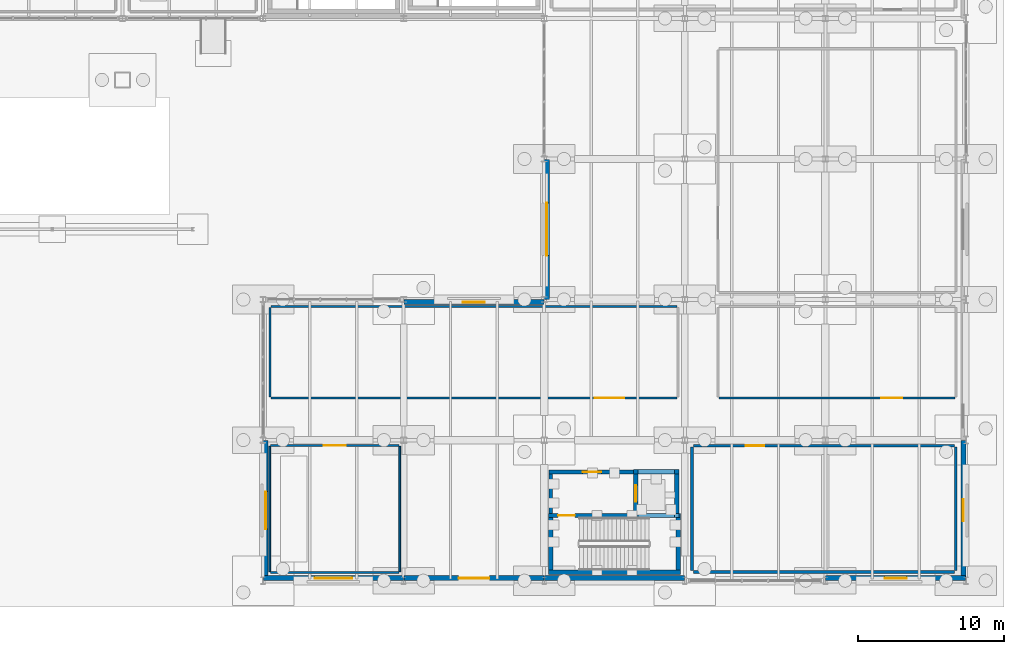
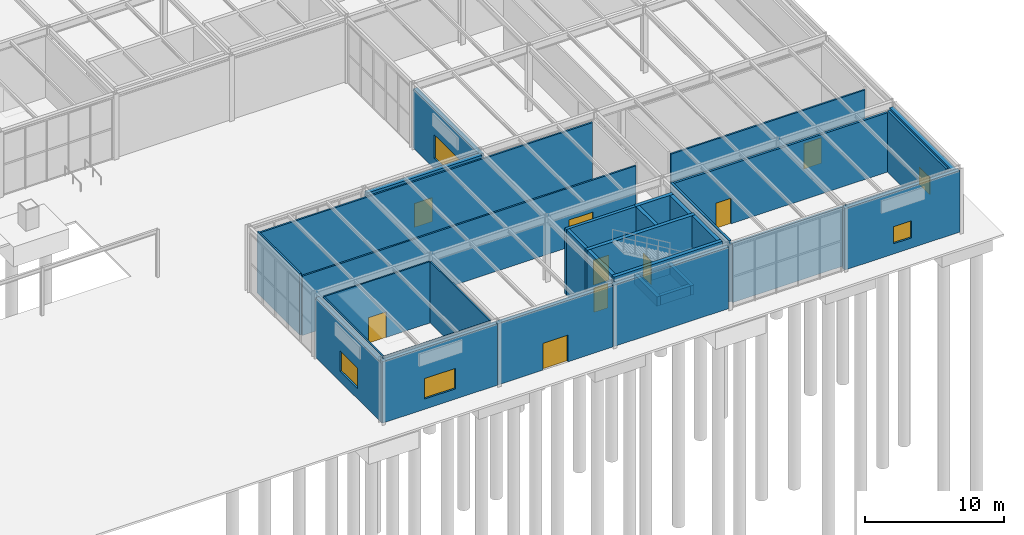
# One storey, part 123 of 142: 33 walls, 8 doors, 6 windows, 14 openings.
"""IFC4 building model written with IfcOpenShell, lengths in metres."""

from ifc_helpers import new_model, si_unit, direction, frame, frame_2d, origin, place, context, subcontext, project, spatial, rectangle, extrude, material, layer, layer_set, type_object, element, fill, save


model = new_model("IFC4")

# Units and contexts
model_context = context("Model", 3, precision=1e-05, world=origin(), true_north=direction((0.0, 1.0)))
body_context = subcontext(model_context, "Body", "Model", "MODEL_VIEW")
ifc_project = project(units=[si_unit("LENGTHUNIT", "METRE"), si_unit("AREAUNIT", "SQUARE_METRE"), si_unit("VOLUMEUNIT", "CUBIC_METRE"), si_unit("PLANEANGLEUNIT", "RADIAN"), si_unit("MASSUNIT", "GRAM", prefix="KILO")], contexts=[model_context])

# Site, building, storey
site_placement = place(None, origin())
site = spatial("IfcSite", under=ifc_project, at=site_placement, CompositionType="ELEMENT")
building_placement = place(site_placement, origin())
building = spatial("IfcBuilding", under=site, at=building_placement, Name="Coralgate Yard Interchange", CompositionType="ELEMENT")
storey_placement = place(building_placement, origin())
storey = spatial("IfcBuildingStorey", under=building, at=storey_placement, Name="L00", CompositionType="ELEMENT", Elevation=0.0)

# Wall
ifc_material_1 = material(Name="Concrete C40/50", Category="concrete")
ifc_layer_1 = layer(ifc_material_1, 0.300048828125)
ifc_layer_set_1 = layer_set([ifc_layer_1], Name="Concrete C40/50")
wall_type_1 = type_object("IfcWallType", Name="WAL-CW300", PredefinedType="SHEAR", material=ifc_layer_set_1)
wall_1_placement = place(storey_placement, frame((153.89990234375, 0.570068359375, 0.0), z_axis=(0.0, 0.0, 1.0), x_axis=(1.0, 0.0, 0.0)))
element("IfcWall", 1, at=wall_1_placement, inside=storey, type_object=wall_type_1, Name="C8 L00 stair south shear wall", PredefinedType="SHEAR", context=body_context, shape_type="SweptSolid", body=[
    extrude(rectangle(XDim=9.0, YDim=0.300048828125, at=frame_2d((4.5, 0.0))), origin(), (0.0, 0.0, 1.0), 5.75),
])

# Wall, opening, door
wall_2_placement = place(storey_placement, frame((162.89990234375, 4.449951171875, 0.0), z_axis=(0.0, 0.0, 1.0), x_axis=(-1.0, 0.0, 0.0)))
wall_2 = element("IfcWall", 2, at=wall_2_placement, inside=storey, type_object=wall_type_1, Name="C8 L00 stair north shear wall", PredefinedType="SHEAR", context=body_context, shape_type="SweptSolid", body=[
    extrude(rectangle(XDim=9.0, YDim=0.300048828125, at=frame_2d((4.5, 0.0))), origin(), (0.0, 0.0, 1.0), 5.75),
])
opening_1_placement = place(wall_2_placement, frame((7.199951171875, 0.0, 0.0)))
opening_1 = element("IfcOpeningElement", 3, at=opening_1_placement, cuts=wall_2, Name="Opening FD-1B", PredefinedType="OPENING", context=body_context, shape_type="SweptSolid", body=[
    extrude(rectangle(XDim=1.14990234375, YDim=2.14990234375, at=frame_2d((0.574951171875, 1.074951171875))), frame((0.0, 0.159912109375, 0.0), z_axis=(0.0, -1.0, 0.0), x_axis=(1.0, 0.0, 0.0)), (0.0, 0.0, 1.0), 0.320068359375),
])
ifc_material_2 = material(Name="Powder-coated steel fire door assembly", Category="steel")
door_type_1 = type_object("IfcDoorType", Name="DOR-FD-1B", OperationType="NOTDEFINED", PredefinedType="DOOR", material=ifc_material_2)
door_1_placement = place(opening_1_placement, origin())
door_1 = element("IfcDoor", 4, at=door_1_placement, inside=storey, type_object=door_type_1, Name="C8 L00 stair fire door", OperationType="SINGLE_SWING_RIGHT", OverallHeight=2.14990234375, OverallWidth=1.14990234375, PredefinedType="DOOR", context=body_context, shape_type="SweptSolid", body=[
    extrude(rectangle(XDim=1.14990234375, YDim=2.14990234375, at=frame_2d((0.574951171875, 1.074951171875))), frame((0.0, 0.02490234375, 0.0), z_axis=(0.0, -1.0, 0.0), x_axis=(1.0, 0.0, 0.0)), (0.0, 0.0, 1.0), 0.050048828125),
])
fill(opening_1, door_1)

# Walls
for number, where, z_axis, x_axis, name in (
    (5, (154.050048828125, 0.719970703125, 0.0), (0.0, 0.0, 1.0), (0.0, 1.0, 0.0), "C8 L00 stair west shear wall"),
    (6, (162.75, 4.300048828125, 0.0), (0.0, 0.0, 1.0), (0.0, -1.0, 0.0), "C8 L00 stair east shear wall"),
):
    element("IfcWall", number, at=place(storey_placement, frame(where, z_axis=z_axis, x_axis=x_axis)), inside=storey, type_object=wall_type_1, Name=name, PredefinedType="SHEAR", context=body_context, shape_type="SweptSolid", body=[
        extrude(rectangle(XDim=3.580078125, YDim=0.300048828125, at=frame_2d((1.7900390625, 0.0))), origin(), (0.0, 0.0, 1.0), 5.75),
    ])

# Wall, opening, door
wall_3_placement = place(storey_placement, frame((159.85009765625, 7.300048828125, 0.0), z_axis=(0.0, 0.0, 1.0), x_axis=(0.0, -1.0, 0.0)))
wall_3 = element("IfcWall", 7, at=wall_3_placement, inside=storey, type_object=wall_type_1, Name="C8 L00 lift front shear wall", PredefinedType="SHEAR", context=body_context, shape_type="SweptSolid", body=[
    extrude(rectangle(XDim=2.699951171875, YDim=0.300048828125, at=frame_2d((1.35009765625, 0.0))), origin(), (0.0, 0.0, 1.0), 5.75),
])
opening_2_placement = place(wall_3_placement, frame((0.77490234375, 0.0, 0.0)))
opening_2 = element("IfcOpeningElement", 8, at=opening_2_placement, cuts=wall_3, Name="Opening LD-2", PredefinedType="OPENING", context=body_context, shape_type="SweptSolid", body=[
    extrude(rectangle(XDim=1.14990234375, YDim=2.10009765625, at=frame_2d((0.574951171875, 1.050048828125))), frame((0.0, 0.159912109375, 0.0), z_axis=(0.0, -1.0, 0.0), x_axis=(1.0, 0.0, 0.0)), (0.0, 0.0, 1.0), 0.320068359375),
])
ifc_material_3 = material(Name="Brushed stainless steel passenger lift landing door", Category="steel")
door_type_2 = type_object("IfcDoorType", Name="DOR-LD-2", OperationType="DOUBLE_DOOR_SLIDING", PredefinedType="DOOR", material=ifc_material_3)
door_2_placement = place(opening_2_placement, frame((1.14990234375, 0.0, 0.0), z_axis=(0.0, 0.0, 1.0), x_axis=(-1.0, 0.0, 0.0)))
door_2 = element("IfcDoor", 9, at=door_2_placement, inside=storey, type_object=door_type_2, Name="LF-06 L00 sliding lift landing door", OperationType="DOUBLE_DOOR_SLIDING", OverallHeight=2.10009765625, OverallWidth=1.14990234375, PredefinedType="DOOR", context=body_context, shape_type="SweptSolid", body=[
    extrude(rectangle(XDim=1.14990234375, YDim=2.10009765625, at=frame_2d((0.574951171875, 1.050048828125))), frame((0.0, 0.02490234375, 0.0), z_axis=(0.0, -1.0, 0.0), x_axis=(1.0, 0.0, 0.0)), (0.0, 0.0, 1.0), 0.050048828125),
])
fill(opening_2, door_2)

# Walls
wall_4_placement = place(storey_placement, frame((162.64990234375, 4.60009765625, 0.0), z_axis=(0.0, 0.0, 1.0), x_axis=(0.0, 1.0, 0.0)))
element("IfcWall", 10, at=wall_4_placement, inside=storey, type_object=wall_type_1, Name="C8 L00 lift rear shear wall", PredefinedType="SHEAR", context=body_context, shape_type="SweptSolid", body=[
    extrude(rectangle(XDim=2.699951171875, YDim=0.300048828125, at=frame_2d((1.35009765625, 0.0))), origin(), (0.0, 0.0, 1.0), 5.75),
])
wall_5_placement = place(storey_placement, frame((159.699951171875, 7.449951171875, 0.0), z_axis=(0.0, 0.0, 1.0), x_axis=(1.0, 0.0, 0.0)))
element("IfcWall", 11, at=wall_5_placement, inside=storey, type_object=wall_type_1, Name="C8 L00 lift north shear wall", PredefinedType="SHEAR", context=body_context, shape_type="SweptSolid", body=[
    extrude(rectangle(XDim=3.10009765625, YDim=0.300048828125, at=frame_2d((1.550048828125, 0.0))), origin(), (0.0, 0.0, 1.0), 5.75),
])
for number, where, z_axis, x_axis, name in (
    (12, (159.85009765625, 4.300048828125, -1.199951171875), (0.0, 0.0, 1.0), (0.0, 1.0, 0.0), "LF-06 lift pit wall W"),
    (13, (162.64990234375, 4.300048828125, -1.199951171875), (0.0, 0.0, 1.0), (0.0, 1.0, 0.0), "LF-06 lift pit wall E"),
):
    element("IfcWall", number, at=place(storey_placement, frame(where, z_axis=z_axis, x_axis=x_axis)), inside=storey, type_object=wall_type_1, Name=name, PredefinedType="SHEAR", context=body_context, shape_type="SweptSolid", body=[
        extrude(rectangle(XDim=3.300048828125, YDim=0.300048828125, at=frame_2d((1.64990234375, 0.0))), origin(), (0.0, 0.0, 1.0), 0.820068359375),
    ])
for number, where, z_axis, x_axis, name in (
    (14, (160.0, 4.449951171875, -1.199951171875), (0.0, 0.0, 1.0), (1.0, 0.0, 0.0), "LF-06 lift pit wall S"),
    (15, (160.0, 7.449951171875, -1.199951171875), (0.0, 0.0, 1.0), (1.0, 0.0, 0.0), "LF-06 lift pit wall N"),
):
    element("IfcWall", number, at=place(storey_placement, frame(where, z_axis=z_axis, x_axis=x_axis)), inside=storey, type_object=wall_type_1, Name=name, PredefinedType="SHEAR", context=body_context, shape_type="SweptSolid", body=[
        extrude(rectangle(XDim=2.5, YDim=0.300048828125, at=frame_2d((1.25, 0.0))), origin(), (0.0, 0.0, 1.0), 0.820068359375),
    ])

# Wall, opening, window
ifc_material_4 = material(Name="Precast concrete C40/50", Category="concrete")
ifc_layer_2 = layer(ifc_material_4, 0.35009765625)
ifc_layer_set_2 = layer_set([ifc_layer_2], Name="Precast concrete C40/50")
wall_type_2 = type_object("IfcWallType", Name="WAL-EW-350", PredefinedType="SOLIDWALL", material=ifc_layer_set_2)
wall_6_placement = place(storey_placement, frame((143.97998046875, 0.175048828125, 0.0), z_axis=(0.0, 0.0, 1.0), x_axis=(-1.0, 0.0, 0.0)))
wall_6 = element("IfcWall", 16, at=wall_6_placement, inside=storey, type_object=wall_type_2, Name="L00 exterior coastal wall S 14-0", PredefinedType="SOLIDWALL", context=body_context, shape_type="SweptSolid", body=[
    extrude(rectangle(XDim=9.56005859375, YDim=0.35009765625, at=frame_2d((4.780029296875, 0.0))), origin(), (0.0, 0.0, 1.0), 5.39990234375),
])
opening_3_placement = place(wall_6_placement, frame((3.5048828125, 0.0, 0.89990234375)))
opening_3 = element("IfcOpeningElement", 17, at=opening_3_placement, cuts=wall_6, Name="Opening W-19", PredefinedType="OPENING", context=body_context, shape_type="SweptSolid", body=[
    extrude(rectangle(XDim=2.550048828125, YDim=1.800048828125, at=frame_2d((1.27490234375, 0.89990234375))), frame((0.0, 0.18505859375, 0.0), z_axis=(0.0, -1.0, 0.0), x_axis=(1.0, 0.0, 0.0)), (0.0, 0.0, 1.0), 0.3701171875),
])
ifc_material_5 = material(Name="Thermally broken anodised aluminium and solar-control low-E glass", Category="aluminium")
window_type_1 = type_object("IfcWindowType", Name="WIN-W-19", PartitioningType="SINGLE_PANEL", PredefinedType="WINDOW", material=ifc_material_5)
window_1_placement = place(opening_3_placement, origin())
window_1 = element("IfcWindow", 18, at=window_1_placement, inside=storey, type_object=window_type_1, Name="L00 coastal facade window S-14-0", OverallHeight=1.800048828125, OverallWidth=2.550048828125, PartitioningType="SINGLE_PANEL", PredefinedType="WINDOW", context=body_context, shape_type="SweptSolid", body=[
    extrude(rectangle(XDim=2.550048828125, YDim=1.800048828125, at=frame_2d((1.27490234375, 0.89990234375))), frame((0.0, 0.030029296875, 0.0), z_axis=(0.0, -1.0, 0.0), x_axis=(1.0, 0.0, 0.0)), (0.0, 0.0, 1.0), 0.06005859375),
])
fill(opening_3, window_1)

wall_7_placement = place(storey_placement, frame((134.574951171875, 0.02001953125, 0.0), z_axis=(0.0, 0.0, 1.0), x_axis=(0.0, 1.0, 0.0)))
wall_7 = element("IfcWall", 19, at=wall_7_placement, inside=storey, type_object=wall_type_2, Name="L00 exterior coastal wall W 14-0", PredefinedType="SOLIDWALL", context=body_context, shape_type="SweptSolid", body=[
    extrude(rectangle(XDim=9.56005859375, YDim=0.35009765625, at=frame_2d((4.780029296875, 0.0))), origin(), (0.0, 0.0, 1.0), 5.216796875),
])
opening_4_placement = place(wall_7_placement, frame((3.5048828125, 0.0, 0.89990234375)))
opening_4 = element("IfcOpeningElement", 20, at=opening_4_placement, cuts=wall_7, Name="Opening W-19", PredefinedType="OPENING", context=body_context, shape_type="SweptSolid", body=[
    extrude(rectangle(XDim=2.550048828125, YDim=1.800048828125, at=frame_2d((1.27490234375, 0.89990234375))), frame((0.0, 0.18505859375, 0.0), z_axis=(0.0, -1.0, 0.0), x_axis=(1.0, 0.0, 0.0)), (0.0, 0.0, 1.0), 0.3701171875),
])
window_2_placement = place(opening_4_placement, origin())
window_2 = element("IfcWindow", 21, at=window_2_placement, inside=storey, type_object=window_type_1, Name="L00 coastal facade window W-14-0", OverallHeight=1.800048828125, OverallWidth=2.550048828125, PartitioningType="SINGLE_PANEL", PredefinedType="WINDOW", context=body_context, shape_type="SweptSolid", body=[
    extrude(rectangle(XDim=2.550048828125, YDim=1.800048828125, at=frame_2d((1.27490234375, 0.89990234375))), frame((0.0, 0.030029296875, 0.0), z_axis=(0.0, -1.0, 0.0), x_axis=(1.0, 0.0, 0.0)), (0.0, 0.0, 1.0), 0.06005859375),
])
fill(opening_4, window_2)

# Wall, opening, door
wall_8_placement = place(storey_placement, frame((153.580078125, 0.175048828125, 0.0), z_axis=(0.0, 0.0, 1.0), x_axis=(-1.0, 0.0, 0.0)))
wall_8 = element("IfcWall", 22, at=wall_8_placement, inside=storey, type_object=wall_type_2, Name="L00 exterior coastal wall S 15-0", PredefinedType="SOLIDWALL", context=body_context, shape_type="SweptSolid", body=[
    extrude(rectangle(XDim=9.56005859375, YDim=0.35009765625, at=frame_2d((4.780029296875, 0.0))), origin(), (0.0, 0.0, 1.0), 5.39990234375),
])
opening_5_placement = place(wall_8_placement, frame((3.72998046875, 0.0, 0.0)))
opening_5 = element("IfcOpeningElement", 23, at=opening_5_placement, cuts=wall_8, Name="Opening ED-8", PredefinedType="OPENING", context=body_context, shape_type="SweptSolid", body=[
    extrude(rectangle(XDim=2.10009765625, YDim=2.35009765625, at=frame_2d((1.050048828125, 1.175048828125))), frame((0.0, 0.18505859375, 0.0), z_axis=(0.0, -1.0, 0.0), x_axis=(1.0, 0.0, 0.0)), (0.0, 0.0, 1.0), 0.3701171875),
])
ifc_material_6 = material(Name="Anodised aluminium intermodal foyer double door", Category="aluminium")
door_type_3 = type_object("IfcDoorType", Name="DOR-ED-8", OperationType="NOTDEFINED", PredefinedType="DOOR", material=ifc_material_6)
door_3_placement = place(opening_5_placement, origin())
door_3 = element("IfcDoor", 24, at=door_3_placement, inside=storey, type_object=door_type_3, Name="L00 final exit double door ED-30", OperationType="DOUBLE_DOOR_SINGLE_SWING", OverallHeight=2.35009765625, OverallWidth=2.10009765625, PredefinedType="DOOR", context=body_context, shape_type="SweptSolid", body=[
    extrude(rectangle(XDim=2.10009765625, YDim=2.35009765625, at=frame_2d((1.050048828125, 1.175048828125))), frame((0.0, 0.02490234375, 0.0), z_axis=(0.0, -1.0, 0.0), x_axis=(1.0, 0.0, 0.0)), (0.0, 0.0, 1.0), 0.050048828125),
])
fill(opening_5, door_3)

# Wall, opening, window
wall_9_placement = place(storey_placement, frame((144.02001953125, 19.02490234375, 0.0), z_axis=(0.0, 0.0, 1.0), x_axis=(1.0, 0.0, 0.0)))
wall_9 = element("IfcWall", 25, at=wall_9_placement, inside=storey, type_object=wall_type_2, Name="L00 exterior coastal wall N 15-1", PredefinedType="SOLIDWALL", context=body_context, shape_type="SweptSolid", body=[
    extrude(rectangle(XDim=9.56005859375, YDim=0.35009765625, at=frame_2d((4.780029296875, 0.0))), origin(), (0.0, 0.0, 1.0), 5.39990234375),
])
opening_6_placement = place(wall_9_placement, frame((4.030029296875, 0.0, 0.89990234375)))
opening_6 = element("IfcOpeningElement", 26, at=opening_6_placement, cuts=wall_9, Name="Opening W-23", PredefinedType="OPENING", context=body_context, shape_type="SweptSolid", body=[
    extrude(rectangle(XDim=1.5, YDim=2.10009765625, at=frame_2d((0.75, 1.050048828125))), frame((0.0, 0.18505859375, 0.0), z_axis=(0.0, -1.0, 0.0), x_axis=(1.0, 0.0, 0.0)), (0.0, 0.0, 1.0), 0.3701171875),
])
window_type_2 = type_object("IfcWindowType", Name="WIN-W-23", PartitioningType="SINGLE_PANEL", PredefinedType="WINDOW", material=ifc_material_5)
window_3_placement = place(opening_6_placement, origin())
window_3 = element("IfcWindow", 27, at=window_3_placement, inside=storey, type_object=window_type_2, Name="L00 coastal facade window N-15-1", OverallHeight=2.10009765625, OverallWidth=1.5, PartitioningType="SINGLE_PANEL", PredefinedType="WINDOW", context=body_context, shape_type="SweptSolid", body=[
    extrude(rectangle(XDim=1.5, YDim=2.10009765625, at=frame_2d((0.75, 1.050048828125))), frame((0.0, 0.030029296875, 0.0), z_axis=(0.0, -1.0, 0.0), x_axis=(1.0, 0.0, 0.0)), (0.0, 0.0, 1.0), 0.06005859375),
])
fill(opening_6, window_3)

# Wall
wall_10_placement = place(storey_placement, frame((163.179931640625, 0.175048828125, 0.0), z_axis=(0.0, 0.0, 1.0), x_axis=(-1.0, 0.0, 0.0)))
element("IfcWall", 28, at=wall_10_placement, inside=storey, type_object=wall_type_2, Name="L00 exterior coastal wall S 16-0", PredefinedType="SOLIDWALL", context=body_context, shape_type="SweptSolid", body=[
    extrude(rectangle(XDim=9.559814453125, YDim=0.35009765625, at=frame_2d((4.77978515625, 0.0))), origin(), (0.0, 0.0, 1.0), 5.39990234375),
])

# Wall, opening, window
wall_11_placement = place(storey_placement, frame((153.77490234375, 19.219970703125, 0.0), z_axis=(0.0, 0.0, 1.0), x_axis=(0.0, 1.0, 0.0)))
wall_11 = element("IfcWall", 29, at=wall_11_placement, inside=storey, type_object=wall_type_2, Name="L00 exterior coastal wall W 16-2", PredefinedType="SOLIDWALL", context=body_context, shape_type="SweptSolid", body=[
    extrude(rectangle(XDim=9.56005859375, YDim=0.35009765625, at=frame_2d((4.780029296875, 0.0))), origin(), (0.0, 0.0, 1.0), 5.216796875),
])
opening_7_placement = place(wall_11_placement, frame((2.97998046875, 0.0, 0.89990234375)))
opening_7 = element("IfcOpeningElement", 30, at=opening_7_placement, cuts=wall_11, Name="Opening W-03", PredefinedType="OPENING", context=body_context, shape_type="SweptSolid", body=[
    extrude(rectangle(XDim=3.60009765625, YDim=2.10009765625, at=frame_2d((1.800048828125, 1.050048828125))), frame((0.0, 0.18505859375, 0.0), z_axis=(0.0, -1.0, 0.0), x_axis=(1.0, 0.0, 0.0)), (0.0, 0.0, 1.0), 0.3701171875),
])
window_type_3 = type_object("IfcWindowType", Name="WIN-W-03", PartitioningType="SINGLE_PANEL", PredefinedType="WINDOW", material=ifc_material_5)
window_4_placement = place(opening_7_placement, origin())
window_4 = element("IfcWindow", 31, at=window_4_placement, inside=storey, type_object=window_type_3, Name="L00 coastal facade window W-16-2", OverallHeight=2.10009765625, OverallWidth=3.60009765625, PartitioningType="SINGLE_PANEL", PredefinedType="WINDOW", context=body_context, shape_type="SweptSolid", body=[
    extrude(rectangle(XDim=3.60009765625, YDim=2.10009765625, at=frame_2d((1.800048828125, 1.050048828125))), frame((0.0, 0.030029296875, 0.0), z_axis=(0.0, -1.0, 0.0), x_axis=(1.0, 0.0, 0.0)), (0.0, 0.0, 1.0), 0.06005859375),
])
fill(opening_7, window_4)

wall_12_placement = place(storey_placement, frame((182.3798828125, 0.175048828125, 0.0), z_axis=(0.0, 0.0, 1.0), x_axis=(-1.0, 0.0, 0.0)))
wall_12 = element("IfcWall", 32, at=wall_12_placement, inside=storey, type_object=wall_type_2, Name="L00 exterior coastal wall S 18-0", PredefinedType="SOLIDWALL", context=body_context, shape_type="SweptSolid", body=[
    extrude(rectangle(XDim=9.559814453125, YDim=0.35009765625, at=frame_2d((4.77978515625, 0.0))), origin(), (0.0, 0.0, 1.0), 5.39990234375),
])
opening_8_placement = place(wall_12_placement, frame((4.030029296875, 0.0, 0.89990234375)))
opening_8 = element("IfcOpeningElement", 33, at=opening_8_placement, cuts=wall_12, Name="Opening W-07", PredefinedType="OPENING", context=body_context, shape_type="SweptSolid", body=[
    extrude(rectangle(XDim=1.5, YDim=1.5, at=frame_2d((0.75, 0.75))), frame((0.0, 0.18505859375, 0.0), z_axis=(0.0, -1.0, 0.0), x_axis=(1.0, 0.0, 0.0)), (0.0, 0.0, 1.0), 0.3701171875),
])
window_type_4 = type_object("IfcWindowType", Name="WIN-W-07", PartitioningType="SINGLE_PANEL", PredefinedType="WINDOW", material=ifc_material_5)
window_5_placement = place(opening_8_placement, origin())
window_5 = element("IfcWindow", 34, at=window_5_placement, inside=storey, type_object=window_type_4, Name="L00 coastal facade window S-18-0", OverallHeight=1.5, OverallWidth=1.5, PartitioningType="SINGLE_PANEL", PredefinedType="WINDOW", context=body_context, shape_type="SweptSolid", body=[
    extrude(rectangle(XDim=1.5, YDim=1.5, at=frame_2d((0.75, 0.75))), frame((0.0, 0.030029296875, 0.0), z_axis=(0.0, -1.0, 0.0), x_axis=(1.0, 0.0, 0.0)), (0.0, 0.0, 1.0), 0.06005859375),
])
fill(opening_8, window_5)

wall_13_placement = place(storey_placement, frame((182.22509765625, 9.580078125, 0.0), z_axis=(0.0, 0.0, 1.0), x_axis=(0.0, -1.0, 0.0)))
wall_13 = element("IfcWall", 35, at=wall_13_placement, inside=storey, type_object=wall_type_2, Name="L00 exterior coastal wall E 18-0", PredefinedType="SOLIDWALL", context=body_context, shape_type="SweptSolid", body=[
    extrude(rectangle(XDim=9.56005859375, YDim=0.35009765625, at=frame_2d((4.780029296875, 0.0))), origin(), (0.0, 0.0, 1.0), 5.216796875),
])
opening_9_placement = place(wall_13_placement, frame((4.030029296875, 0.0, 0.89990234375)))
opening_9 = element("IfcOpeningElement", 36, at=opening_9_placement, cuts=wall_13, Name="Opening W-07", PredefinedType="OPENING", context=body_context, shape_type="SweptSolid", body=[
    extrude(rectangle(XDim=1.5, YDim=1.5, at=frame_2d((0.75, 0.75))), frame((0.0, 0.18505859375, 0.0), z_axis=(0.0, -1.0, 0.0), x_axis=(1.0, 0.0, 0.0)), (0.0, 0.0, 1.0), 0.3701171875),
])
window_6_placement = place(opening_9_placement, origin())
window_6 = element("IfcWindow", 37, at=window_6_placement, inside=storey, type_object=window_type_4, Name="L00 coastal facade window E-18-0", OverallHeight=1.5, OverallWidth=1.5, PartitioningType="SINGLE_PANEL", PredefinedType="WINDOW", context=body_context, shape_type="SweptSolid", body=[
    extrude(rectangle(XDim=1.5, YDim=1.5, at=frame_2d((0.75, 0.75))), frame((0.0, 0.030029296875, 0.0), z_axis=(0.0, -1.0, 0.0), x_axis=(1.0, 0.0, 0.0)), (0.0, 0.0, 1.0), 0.06005859375),
])
fill(opening_9, window_6)

# Wall
ifc_material_7 = material(Name="Lightweight steel-stud retail partition", Category="steel")
ifc_layer_3 = layer(ifc_material_7, 0.1201171875)
ifc_layer_set_3 = layer_set([ifc_layer_3], Name="Lightweight steel-stud retail partition")
wall_type_3 = type_object("IfcWallType", Name="WAL-PW-120", PredefinedType="PARTITIONING", material=ifc_layer_set_3)
wall_14_placement = place(storey_placement, frame((143.679931640625, 0.56005859375, 0.0), z_axis=(0.0, 0.0, 1.0), x_axis=(-1.0, 0.0, 0.0)))
element("IfcWall", 38, at=wall_14_placement, inside=storey, type_object=wall_type_3, Name="Cycle Accessories Retail Unit partition S", PredefinedType="PARTITIONING", context=body_context, shape_type="SweptSolid", body=[
    extrude(rectangle(XDim=8.760009765625, YDim=0.1201171875, at=frame_2d((4.3798828125, 0.0))), origin(), (0.0, 0.0, 1.0), 5.389892578125),
])

# Wall, opening, door
wall_15_placement = place(storey_placement, frame((134.919921875, 9.239990234375, 0.0), z_axis=(0.0, 0.0, 1.0), x_axis=(1.0, 0.0, 0.0)))
wall_15 = element("IfcWall", 39, at=wall_15_placement, inside=storey, type_object=wall_type_3, Name="Cycle Accessories Retail Unit partition N", PredefinedType="PARTITIONING", context=body_context, shape_type="SweptSolid", body=[
    extrude(rectangle(XDim=8.760009765625, YDim=0.1201171875, at=frame_2d((4.3798828125, 0.0))), origin(), (0.0, 0.0, 1.0), 5.389892578125),
])
opening_10_placement = place(wall_15_placement, frame((3.6298828125, 0.0, 0.0)))
opening_10 = element("IfcOpeningElement", 40, at=opening_10_placement, cuts=wall_15, Name="Opening ID-06", PredefinedType="OPENING", context=body_context, shape_type="SweptSolid", body=[
    extrude(rectangle(XDim=1.5, YDim=2.25, at=frame_2d((0.75, 1.125))), frame((0.0, 0.070068359375, 0.0), z_axis=(0.0, -1.0, 0.0), x_axis=(1.0, 0.0, 0.0)), (0.0, 0.0, 1.0), 0.14013671875),
])
ifc_material_8 = material(Name="Glazed aluminium retail and cafe double door", Category="aluminium")
door_type_4 = type_object("IfcDoorType", Name="DOR-ID-06", OperationType="NOTDEFINED", PredefinedType="DOOR", material=ifc_material_8)
door_4_placement = place(opening_10_placement, frame((1.5, 0.0, 0.0), z_axis=(0.0, 0.0, 1.0), x_axis=(-1.0, 0.0, 0.0)))
door_4 = element("IfcDoor", 41, at=door_4_placement, inside=storey, type_object=door_type_4, Name="Cycle Accessories Retail Unit door", OperationType="DOUBLE_DOOR_SINGLE_SWING", OverallHeight=2.25, OverallWidth=1.5, PredefinedType="DOOR", context=body_context, shape_type="SweptSolid", body=[
    extrude(rectangle(XDim=1.5, YDim=2.25, at=frame_2d((0.75, 1.125))), frame((0.0, 0.02490234375, 0.0), z_axis=(0.0, -1.0, 0.0), x_axis=(1.0, 0.0, 0.0)), (0.0, 0.0, 1.0), 0.050048828125),
])
fill(opening_10, door_4)

# Walls
for number, where, z_axis, x_axis, name in (
    (42, (134.860107421875, 0.6201171875, 0.0), (0.0, 0.0, 1.0), (0.0, 1.0, 0.0), "Cycle Accessories Retail Unit partition W"),
    (43, (143.739990234375, 9.179931640625, 0.0), (0.0, 0.0, 1.0), (0.0, -1.0, 0.0), "Cycle Accessories Retail Unit partition E"),
):
    element("IfcWall", number, at=place(storey_placement, frame(where, z_axis=z_axis, x_axis=x_axis)), inside=storey, type_object=wall_type_3, Name=name, PredefinedType="PARTITIONING", context=body_context, shape_type="SweptSolid", body=[
        extrude(rectangle(XDim=8.559814453125, YDim=0.1201171875, at=frame_2d((4.27978515625, 0.0))), origin(), (0.0, 0.0, 1.0), 5.389892578125),
    ])

# Wall, opening, door
ifc_material_9 = material(Name="Acoustic twin-stud office partition")
ifc_layer_4 = layer(ifc_material_9, 0.139892578125)
ifc_layer_set_4 = layer_set([ifc_layer_4], Name="Acoustic twin-stud office partition")
wall_type_4 = type_object("IfcWallType", Name="WAL-PW-140", PredefinedType="PARTITIONING", material=ifc_layer_set_4)
wall_16_placement = place(storey_placement, frame((162.659912109375, 12.469970703125, 0.0), z_axis=(0.0, 0.0, 1.0), x_axis=(-1.0, 0.0, 0.0)))
wall_16 = element("IfcWall", 44, at=wall_16_placement, inside=storey, type_object=wall_type_4, Name="Cycle Hub Two-Tier Rack Hall South partition S", PredefinedType="PARTITIONING", context=body_context, shape_type="SweptSolid", body=[
    extrude(rectangle(XDim=27.719970703125, YDim=0.139892578125, at=frame_2d((13.85986328125, 0.0))), origin(), (0.0, 0.0, 1.0), 5.206787109375),
])
opening_11_placement = place(wall_16_placement, frame((3.60009765625, 0.0, 0.0)))
opening_11 = element("IfcOpeningElement", 45, at=opening_11_placement, cuts=wall_16, Name="Opening ID-09", PredefinedType="OPENING", context=body_context, shape_type="SweptSolid", body=[
    extrude(rectangle(XDim=2.0, YDim=2.39990234375, at=frame_2d((1.0, 1.199951171875))), frame((0.0, 0.079833984375, 0.0), z_axis=(0.0, -1.0, 0.0), x_axis=(1.0, 0.0, 0.0)), (0.0, 0.0, 1.0), 0.159912109375),
])
ifc_material_10 = material(Name="Glazed aluminium concourse lounge double door", Category="aluminium")
door_type_5 = type_object("IfcDoorType", Name="DOR-ID-09", OperationType="NOTDEFINED", PredefinedType="DOOR", material=ifc_material_10)
door_5_placement = place(opening_11_placement, origin())
door_5 = element("IfcDoor", 46, at=door_5_placement, inside=storey, type_object=door_type_5, Name="Cycle Hub Two-Tier Rack Hall South door", OperationType="DOUBLE_DOOR_SINGLE_SWING", OverallHeight=2.39990234375, OverallWidth=2.0, PredefinedType="DOOR", context=body_context, shape_type="SweptSolid", body=[
    extrude(rectangle(XDim=2.0, YDim=2.39990234375, at=frame_2d((1.0, 1.199951171875))), frame((0.0, 0.02490234375, 0.0), z_axis=(0.0, -1.0, 0.0), x_axis=(1.0, 0.0, 0.0)), (0.0, 0.0, 1.0), 0.050048828125),
])
fill(opening_11, door_5)

# Walls
wall_17_placement = place(storey_placement, frame((134.93994140625, 18.72998046875, 0.0), z_axis=(0.0, 0.0, 1.0), x_axis=(1.0, 0.0, 0.0)))
element("IfcWall", 47, at=wall_17_placement, inside=storey, type_object=wall_type_4, Name="Cycle Hub Two-Tier Rack Hall South partition N", PredefinedType="PARTITIONING", context=body_context, shape_type="SweptSolid", body=[
    extrude(rectangle(XDim=27.719970703125, YDim=0.139892578125, at=frame_2d((13.85986328125, 0.0))), origin(), (0.0, 0.0, 1.0), 5.206787109375),
])
wall_18_placement = place(storey_placement, frame((134.8701171875, 12.5400390625, 0.0), z_axis=(0.0, 0.0, 1.0), x_axis=(0.0, 1.0, 0.0)))
element("IfcWall", 48, at=wall_18_placement, inside=storey, type_object=wall_type_4, Name="Cycle Hub Two-Tier Rack Hall South partition W", PredefinedType="PARTITIONING", context=body_context, shape_type="SweptSolid", body=[
    extrude(rectangle(XDim=6.119873046875, YDim=0.139892578125, at=frame_2d((3.06005859375, 0.0))), origin(), (0.0, 0.0, 1.0), 5.389892578125),
])

# Wall, opening, door
wall_19_placement = place(storey_placement, frame((181.659912109375, 12.469970703125, 0.0), z_axis=(0.0, 0.0, 1.0), x_axis=(-1.0, 0.0, 0.0)))
wall_19 = element("IfcWall", 49, at=wall_19_placement, inside=storey, type_object=wall_type_4, Name="Cycle Hire and Active Mobility Desk partition S", PredefinedType="PARTITIONING", context=body_context, shape_type="SweptSolid", body=[
    extrude(rectangle(XDim=16.119873046875, YDim=0.139892578125, at=frame_2d((8.06005859375, 0.0))), origin(), (0.0, 0.0, 1.0), 5.206787109375),
])
opening_12_placement = place(wall_19_placement, frame((3.60009765625, 0.0, 0.0)))
opening_12 = element("IfcOpeningElement", 50, at=opening_12_placement, cuts=wall_19, Name="Opening ID-18", PredefinedType="OPENING", context=body_context, shape_type="SweptSolid", body=[
    extrude(rectangle(XDim=1.449951171875, YDim=2.25, at=frame_2d((0.72509765625, 1.125))), frame((0.0, 0.079833984375, 0.0), z_axis=(0.0, -1.0, 0.0), x_axis=(1.0, 0.0, 0.0)), (0.0, 0.0, 1.0), 0.159912109375),
])
ifc_material_11 = material(Name="Glazed passenger service counter double door")
door_type_6 = type_object("IfcDoorType", Name="DOR-ID-18", OperationType="NOTDEFINED", PredefinedType="DOOR", material=ifc_material_11)
door_6_placement = place(opening_12_placement, frame((1.449951171875, 0.0, 0.0), z_axis=(0.0, 0.0, 1.0), x_axis=(-1.0, 0.0, 0.0)))
door_6 = element("IfcDoor", 51, at=door_6_placement, inside=storey, type_object=door_type_6, Name="Cycle Hire and Active Mobility Desk door", OperationType="DOUBLE_DOOR_SINGLE_SWING", OverallHeight=2.25, OverallWidth=1.449951171875, PredefinedType="DOOR", context=body_context, shape_type="SweptSolid", body=[
    extrude(rectangle(XDim=1.449951171875, YDim=2.25, at=frame_2d((0.72509765625, 1.125))), frame((0.0, 0.02490234375, 0.0), z_axis=(0.0, -1.0, 0.0), x_axis=(1.0, 0.0, 0.0)), (0.0, 0.0, 1.0), 0.050048828125),
])
fill(opening_12, door_6)

# Wall
ifc_material_12 = material(Name="Acoustic concrete blockwork", Category="masonry")
ifc_layer_5 = layer(ifc_material_12, 0.179931640625)
ifc_layer_set_5 = layer_set([ifc_layer_5], Name="Acoustic concrete blockwork")
wall_type_5 = type_object("IfcWallType", Name="WAL-PW-180", PredefinedType="PARTITIONING", material=ifc_layer_set_5)
wall_20_placement = place(storey_placement, frame((181.6201171875, 0.590087890625, 0.0), z_axis=(0.0, 0.0, 1.0), x_axis=(-1.0, 0.0, 0.0)))
element("IfcWall", 52, at=wall_20_placement, inside=storey, type_object=wall_type_5, Name="Cycle Repair Workshop and Parts Store partition S", PredefinedType="PARTITIONING", context=body_context, shape_type="SweptSolid", body=[
    extrude(rectangle(XDim=17.840087890625, YDim=0.179931640625, at=frame_2d((8.919921875, 0.0))), origin(), (0.0, 0.0, 1.0), 5.206787109375),
])

# Wall, opening, door
wall_21_placement = place(storey_placement, frame((163.780029296875, 9.2099609375, 0.0), z_axis=(0.0, 0.0, 1.0), x_axis=(1.0, 0.0, 0.0)))
wall_21 = element("IfcWall", 53, at=wall_21_placement, inside=storey, type_object=wall_type_5, Name="Cycle Repair Workshop and Parts Store partition N", PredefinedType="PARTITIONING", context=body_context, shape_type="SweptSolid", body=[
    extrude(rectangle(XDim=17.840087890625, YDim=0.179931640625, at=frame_2d((8.919921875, 0.0))), origin(), (0.0, 0.0, 1.0), 5.206787109375),
])
opening_13_placement = place(wall_21_placement, frame((3.60009765625, 0.0, 0.0)))
opening_13 = element("IfcOpeningElement", 54, at=opening_13_placement, cuts=wall_21, Name="Opening ID-16", PredefinedType="OPENING", context=body_context, shape_type="SweptSolid", body=[
    extrude(rectangle(XDim=1.25, YDim=2.25, at=frame_2d((0.625, 1.125))), frame((0.0, 0.099853515625, 0.0), z_axis=(0.0, -1.0, 0.0), x_axis=(1.0, 0.0, 0.0)), (0.0, 0.0, 1.0), 0.199951171875),
])
ifc_material_13 = material(Name="Wide steel workshop equipment fire door", Category="steel")
door_type_7 = type_object("IfcDoorType", Name="DOR-ID-16", OperationType="NOTDEFINED", PredefinedType="DOOR", material=ifc_material_13)
door_7_placement = place(opening_13_placement, origin())
door_7 = element("IfcDoor", 55, at=door_7_placement, inside=storey, type_object=door_type_7, Name="Cycle Repair Workshop and Parts Store door", OperationType="SINGLE_SWING_RIGHT", OverallHeight=2.25, OverallWidth=1.25, PredefinedType="DOOR", context=body_context, shape_type="SweptSolid", body=[
    extrude(rectangle(XDim=1.25, YDim=2.25, at=frame_2d((0.625, 1.125))), frame((0.0, 0.02490234375, 0.0), z_axis=(0.0, -1.0, 0.0), x_axis=(1.0, 0.0, 0.0)), (0.0, 0.0, 1.0), 0.050048828125),
])
fill(opening_13, door_7)

# Walls
for number, where, z_axis, x_axis, name in (
    (56, (163.68994140625, 0.679931640625, 0.0), (0.0, 0.0, 1.0), (0.0, 1.0, 0.0), "Cycle Repair Workshop and Parts Store partition W"),
    (57, (181.7099609375, 9.1201171875, 0.0), (0.0, 0.0, 1.0), (0.0, -1.0, 0.0), "Cycle Repair Workshop and Parts Store partition E"),
):
    element("IfcWall", number, at=place(storey_placement, frame(where, z_axis=z_axis, x_axis=x_axis)), inside=storey, type_object=wall_type_5, Name=name, PredefinedType="PARTITIONING", context=body_context, shape_type="SweptSolid", body=[
        extrude(rectangle(XDim=8.440185546875, YDim=0.179931640625, at=frame_2d((4.22021484375, 0.0))), origin(), (0.0, 0.0, 1.0), 5.389892578125),
    ])

# Wall, opening, door
ifc_layer_6 = layer(ifc_material_1, 0.25)
ifc_layer_set_6 = layer_set([ifc_layer_6], Name="Concrete C40/50")
wall_type_6 = type_object("IfcWallType", Name="WAL-SW250", PredefinedType="SHEAR", material=ifc_layer_set_6)
wall_22_placement = place(storey_placement, frame((159.699951171875, 7.425048828125, 0.0), z_axis=(0.0, 0.0, 1.0), x_axis=(-1.0, 0.0, 0.0)))
wall_22 = element("IfcWall", 58, at=wall_22_placement, inside=storey, type_object=wall_type_6, Name="C8 L00 lobby north fire wall", PredefinedType="SHEAR", context=body_context, shape_type="SweptSolid", body=[
    extrude(rectangle(XDim=5.77490234375, YDim=0.25, at=frame_2d((2.887451171875, 0.0))), origin(), (0.0, 0.0, 1.0), 5.75),
])
opening_14_placement = place(wall_22_placement, frame((2.199951171875, 0.0, 0.0)))
opening_14 = element("IfcOpeningElement", 59, at=opening_14_placement, cuts=wall_22, Name="Opening FD-2B", PredefinedType="OPENING", context=body_context, shape_type="SweptSolid", body=[
    extrude(rectangle(XDim=1.280029296875, YDim=2.199951171875, at=frame_2d((0.64013671875, 1.10009765625))), frame((0.0, 0.135009765625, 0.0), z_axis=(0.0, -1.0, 0.0), x_axis=(1.0, 0.0, 0.0)), (0.0, 0.0, 1.0), 0.27001953125),
])
door_type_8 = type_object("IfcDoorType", Name="DOR-FD-2B", OperationType="NOTDEFINED", PredefinedType="DOOR", material=ifc_material_2)
door_8_placement = place(opening_14_placement, origin())
door_8 = element("IfcDoor", 60, at=door_8_placement, inside=storey, type_object=door_type_8, Name="C8 L00 lobby fire door", OperationType="SINGLE_SWING_LEFT", OverallHeight=2.199951171875, OverallWidth=1.280029296875, PredefinedType="DOOR", context=body_context, shape_type="SweptSolid", body=[
    extrude(rectangle(XDim=1.280029296875, YDim=2.199951171875, at=frame_2d((0.64013671875, 1.10009765625))), frame((0.0, 0.02490234375, 0.0), z_axis=(0.0, -1.0, 0.0), x_axis=(1.0, 0.0, 0.0)), (0.0, 0.0, 1.0), 0.050048828125),
])
fill(opening_14, door_8)

# Wall
wall_23_placement = place(storey_placement, frame((154.050048828125, 4.60009765625, 0.0), z_axis=(0.0, 0.0, 1.0), x_axis=(0.0, 1.0, 0.0)))
element("IfcWall", 61, at=wall_23_placement, inside=storey, type_object=wall_type_6, Name="C8 L00 lobby west fire wall", PredefinedType="SHEAR", context=body_context, shape_type="SweptSolid", body=[
    extrude(rectangle(XDim=2.699951171875, YDim=0.25, at=frame_2d((1.35009765625, 0.0))), origin(), (0.0, 0.0, 1.0), 5.75),
])

save(model, "model.ifc")
